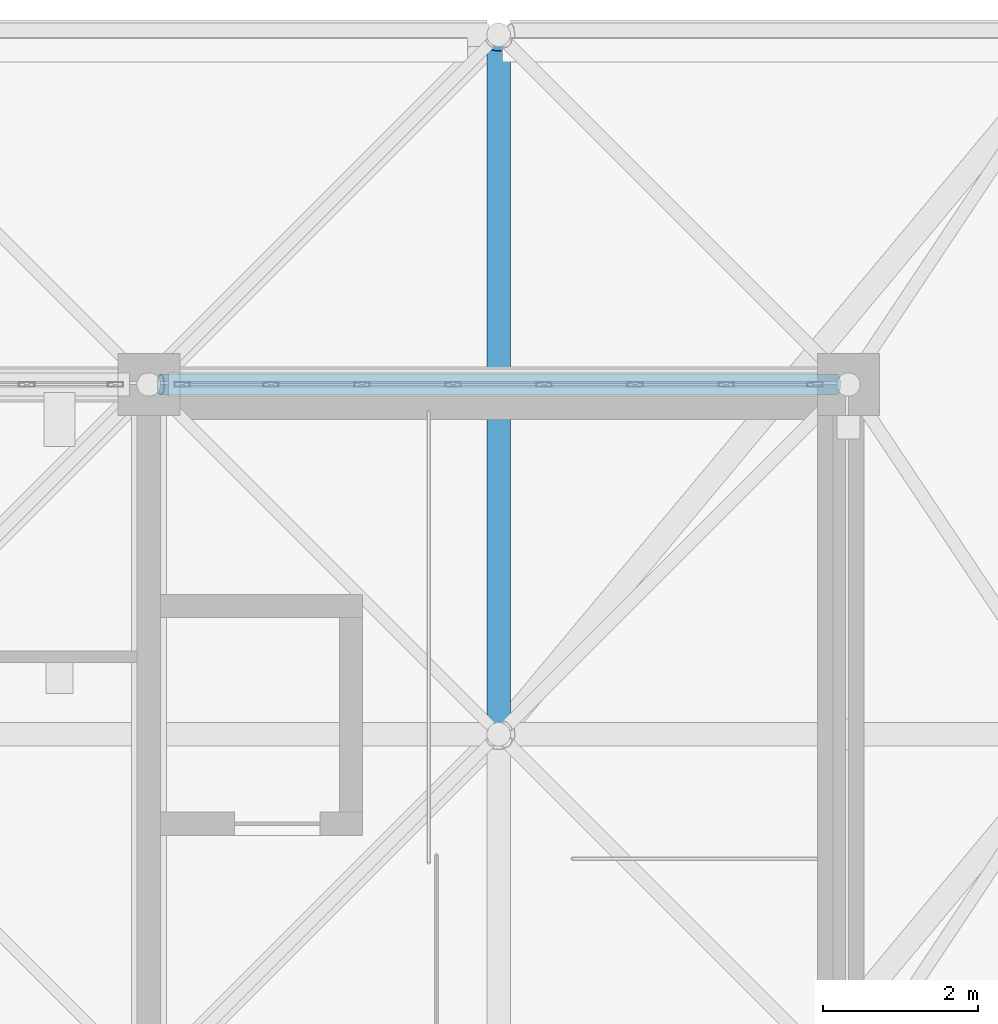
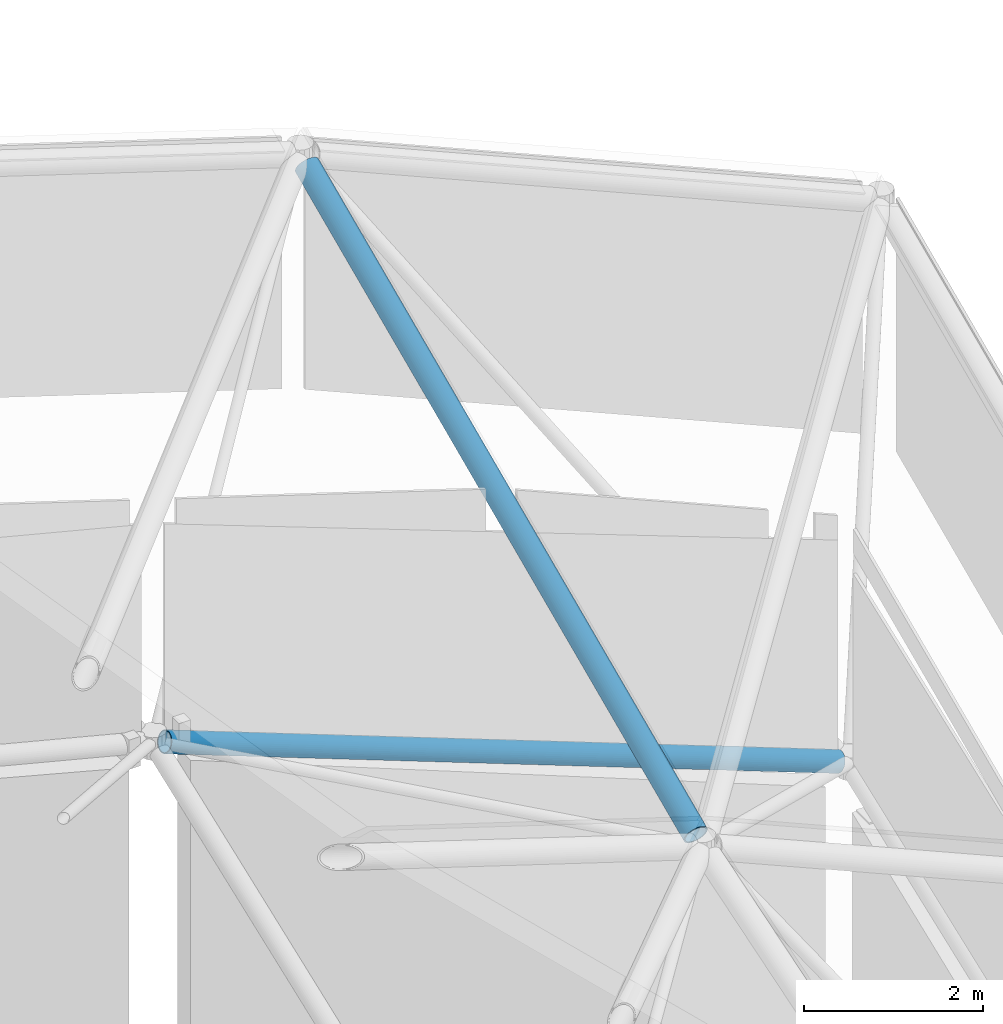
# One storey, part 142 of 437: 2 members.
"""IFC4 building model written with IfcOpenShell, lengths in metres."""

from ifc_helpers import new_model, si_unit, direction, frame, origin, origin_2d, place, context, subcontext, project, spatial, hollow_circle, extrude, material, material_profile, profile_set, type_object, element, save


model = new_model("IFC4")

# Units and contexts
model_context = context("Model", 3, precision=1e-05, world=origin(), true_north=direction((0.0, 1.0)))
body_context = subcontext(model_context, "Body", "Model", "MODEL_VIEW")
ifc_project = project(units=[si_unit("LENGTHUNIT", "METRE"), si_unit("AREAUNIT", "SQUARE_METRE"), si_unit("VOLUMEUNIT", "CUBIC_METRE"), si_unit("PLANEANGLEUNIT", "RADIAN"), si_unit("MASSUNIT", "GRAM", prefix="KILO")], contexts=[model_context])

# Site, building, storey
site_placement = place(None, origin())
site = spatial("IfcSite", under=ifc_project, at=site_placement, CompositionType="ELEMENT")
building_placement = place(site_placement, origin())
building = spatial("IfcBuilding", under=site, at=building_placement, Name="Opaline Strait Convention Centre", CompositionType="ELEMENT")
storey_placement = place(building_placement, frame((0.0, 0.0, 11.5)))
storey = spatial("IfcBuildingStorey", under=building, at=storey_placement, Name="L02", CompositionType="ELEMENT", Elevation=11.5)

# Members
ifc_material = material(Name="Steel Q355B", Category="steel")
ifc_material_profile_1 = material_profile(ifc_material, hollow_circle(Radius=0.136474609375, WallThickness=0.011962890625, at=origin_2d()), Name="CHS 273x12")
ifc_profile_set_1 = profile_set([ifc_material_profile_1], Name="Steel Q355B")
member_type_1 = type_object("IfcMemberType", Name="Shell truss bottom chord CHS 273x12", PredefinedType="CHORD", material=ifc_profile_set_1)
member_1_placement = place(storey_placement, frame((63.14990234375, 180.0, 14.06640625), z_axis=(0.934493135261, 0.0, -0.355981151397), x_axis=(0.0, 1.0, 0.0)))
element("IfcMember", 1, at=member_1_placement, inside=storey, type_object=member_type_1, Name="PBC1 bottom chord X7-8", PredefinedType="CHORD", context=body_context, shape_type="SweptSolid", body=[
    extrude(hollow_circle(Radius=0.136474609375, WallThickness=0.011962890625, at=origin_2d()), origin(), (0.0, 0.0, 1.0), 9.31005859375),
])
ifc_material_profile_2 = material_profile(ifc_material, hollow_circle(Radius=0.1494140625, WallThickness=0.01611328125, at=origin_2d()), Name="CHS 299x16")
ifc_profile_set_2 = profile_set([ifc_material_profile_2], Name="Steel Q355B")
member_type_2 = type_object("IfcMemberType", Name="Shell truss top chord CHS 299x16", PredefinedType="CHORD", material=ifc_profile_set_2)
member_2_placement = place(storey_placement, frame((67.5, 175.64990234375, 13.91162109375), z_axis=(0.0, 0.913813663494, 0.406133707555), x_axis=(-1.0, 0.0, 0.0)))
element("IfcMember", 2, at=member_2_placement, inside=storey, type_object=member_type_2, Name="PTC1 top chord Y8-8", PredefinedType="CHORD", context=body_context, shape_type="SweptSolid", body=[
    extrude(hollow_circle(Radius=0.1494140625, WallThickness=0.01611328125, at=origin_2d()), origin(), (0.0, 0.0, 1.0), 9.520751953125),
])

save(model, "model.ifc")
